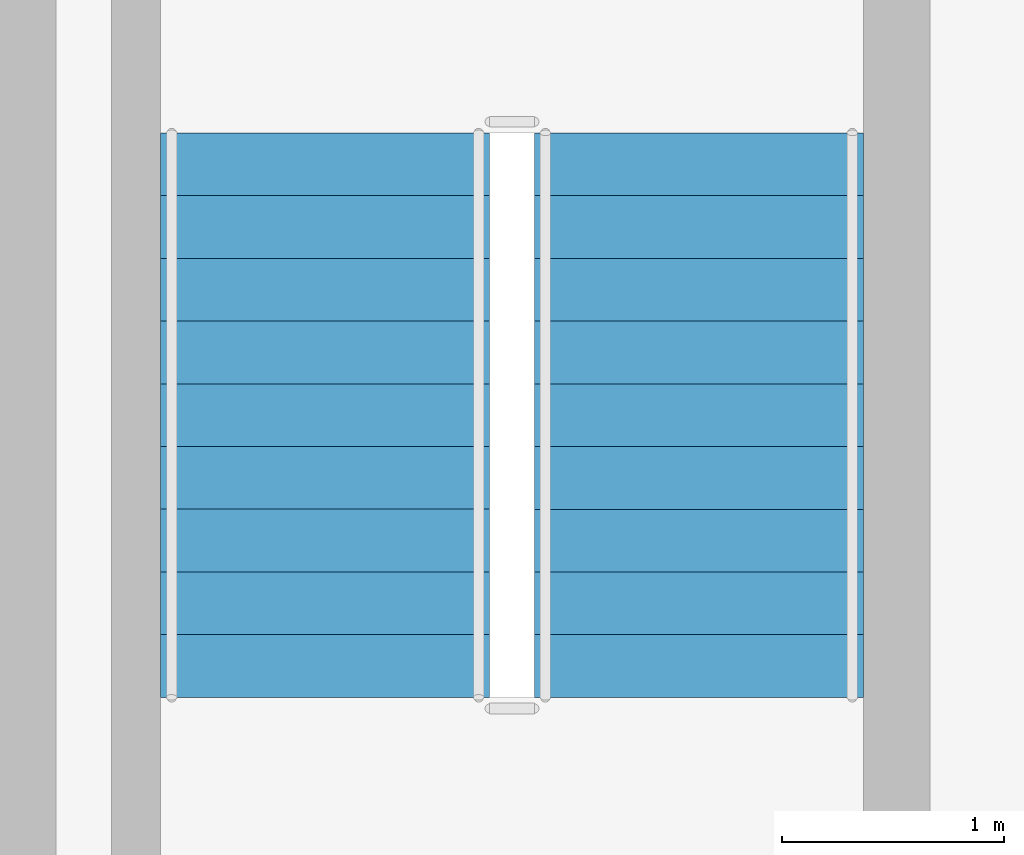
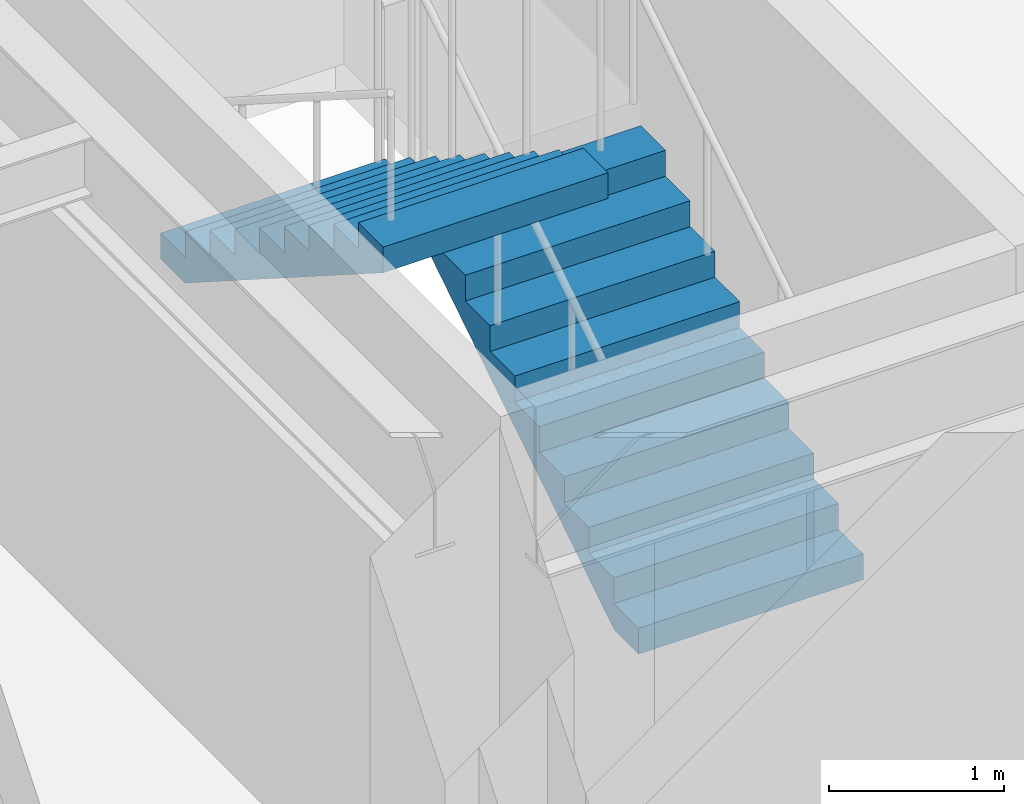
# One storey, part 11 of 12: 2 stair flights, 1 element without a shape of its own.
"""IFC4 building model written with IfcOpenShell, lengths in metres."""

from ifc_helpers import new_model, si_unit, direction, frame, origin, place, context, subcontext, project, spatial, polyline, outline, extrude, material, type_object, element, aggregate, save


model = new_model("IFC4")

# Units and contexts
model_context = context("Model", 3, precision=1e-05, world=origin(), true_north=direction((0.0, 1.0)))
body_context = subcontext(model_context, "Body", "Model", "MODEL_VIEW")
ifc_project = project(units=[si_unit("LENGTHUNIT", "METRE"), si_unit("AREAUNIT", "SQUARE_METRE"), si_unit("VOLUMEUNIT", "CUBIC_METRE"), si_unit("PLANEANGLEUNIT", "RADIAN"), si_unit("MASSUNIT", "GRAM", prefix="KILO")], contexts=[model_context])

# Site, building, storey
site_placement = place(None, origin())
site = spatial("IfcSite", under=ifc_project, at=site_placement, CompositionType="ELEMENT")
building_placement = place(site_placement, origin())
building = spatial("IfcBuilding", under=site, at=building_placement, Name="Ochreholt Gables", CompositionType="ELEMENT")
storey_placement = place(building_placement, frame((0.0, 0.0, 38.39990234375)))
storey = spatial("IfcBuildingStorey", under=building, at=storey_placement, Name="L09", CompositionType="ELEMENT", Elevation=38.39990234375)

# Stair, stair flights
ifc_material = material(Name="Concrete 40 MPa", Category="concrete")
stair_type = type_object("IfcStairType", Name="STAIR-CORE-ST-2", PredefinedType="HALF_TURN_STAIR", material=ifc_material)
stair_placement = place(storey_placement, origin())
stair = element("IfcStair", 1, at=stair_placement, inside=storey, type_object=stair_type, Name="L09 Core Exit Stair 2", PredefinedType="HALF_TURN_STAIR")
stair_flight_type = type_object("IfcStairFlightType", Name="FLIGHT-ST-1480-1800", PredefinedType="STRAIGHT", material=ifc_material)
stair_flight_1_placement = place(storey_placement, frame((27.340087890625, 32.4599609375, 0.0), z_axis=(0.0, 0.0, 1.0), x_axis=(0.0, 1.0, 0.0)))
stair_flight_1 = element("IfcStairFlight", 2, at=stair_flight_1_placement, type_object=stair_flight_type, Name="ST-2 flight 1", NumberOfRisers=10, NumberOfTreads=9, PredefinedType="STRAIGHT", RiserHeight=0.18, TreadLength=0.282, context=body_context, shape_type="SweptSolid", body=[
    extrude(outline(polyline([(0.0, 0.0), (0.0, 0.179931640625), (0.281982421875, 0.179931640625), (0.281982421875, 0.360107421875), (0.56396484375, 0.360107421875), (0.56396484375, 0.5400390625), (0.845947265625, 0.5400390625), (0.845947265625, 0.719970703125), (1.1279296875, 0.719970703125), (1.1279296875, 0.89990234375), (1.409912109375, 0.89990234375), (1.409912109375, 1.080078125), (1.69189453125, 1.080078125), (1.69189453125, 1.260009765625), (1.97412109375, 1.260009765625), (1.97412109375, 1.43994140625), (2.256103515625, 1.43994140625), (2.256103515625, 1.6201171875), (2.5380859375, 1.6201171875), (2.5380859375, 1.800048828125), (2.5380859375, 1.442138671875), (0.278564453125, 0.0), (0.0, 0.0)])), frame((0.0, 0.739990234375, 0.0), z_axis=(0.0, -1.0, 0.0), x_axis=(1.0, 0.0, 0.0)), (0.0, 0.0, 1.0), 1.47998046875),
])
stair_flight_2_placement = place(storey_placement, frame((25.659912109375, 34.998046875, 1.800048828125), z_axis=(0.0, 0.0, 1.0), x_axis=(0.0, -1.0, 0.0)))
stair_flight_2 = element("IfcStairFlight", 3, at=stair_flight_2_placement, type_object=stair_flight_type, Name="ST-2 flight 2", NumberOfRisers=10, NumberOfTreads=9, PredefinedType="STRAIGHT", RiserHeight=0.18, TreadLength=0.282, context=body_context, shape_type="SweptSolid", body=[
    extrude(outline(polyline([(0.0, 0.0), (0.0, 0.179931640625), (0.281982421875, 0.179931640625), (0.281982421875, 0.360107421875), (0.56396484375, 0.360107421875), (0.56396484375, 0.5400390625), (0.845947265625, 0.5400390625), (0.845947265625, 0.719970703125), (1.1279296875, 0.719970703125), (1.1279296875, 0.89990234375), (1.409912109375, 0.89990234375), (1.409912109375, 1.080078125), (1.69189453125, 1.080078125), (1.69189453125, 1.260009765625), (1.97412109375, 1.260009765625), (1.97412109375, 1.43994140625), (2.256103515625, 1.43994140625), (2.256103515625, 1.6201171875), (2.5380859375, 1.6201171875), (2.5380859375, 1.800048828125), (2.5380859375, 1.442138671875), (0.278564453125, 0.0), (0.0, 0.0)])), frame((0.0, 0.739990234375, 0.0), z_axis=(0.0, -1.0, 0.0), x_axis=(1.0, 0.0, 0.0)), (0.0, 0.0, 1.0), 1.47998046875),
])
aggregate(stair, [stair_flight_1, stair_flight_2])

save(model, "model.ifc")
